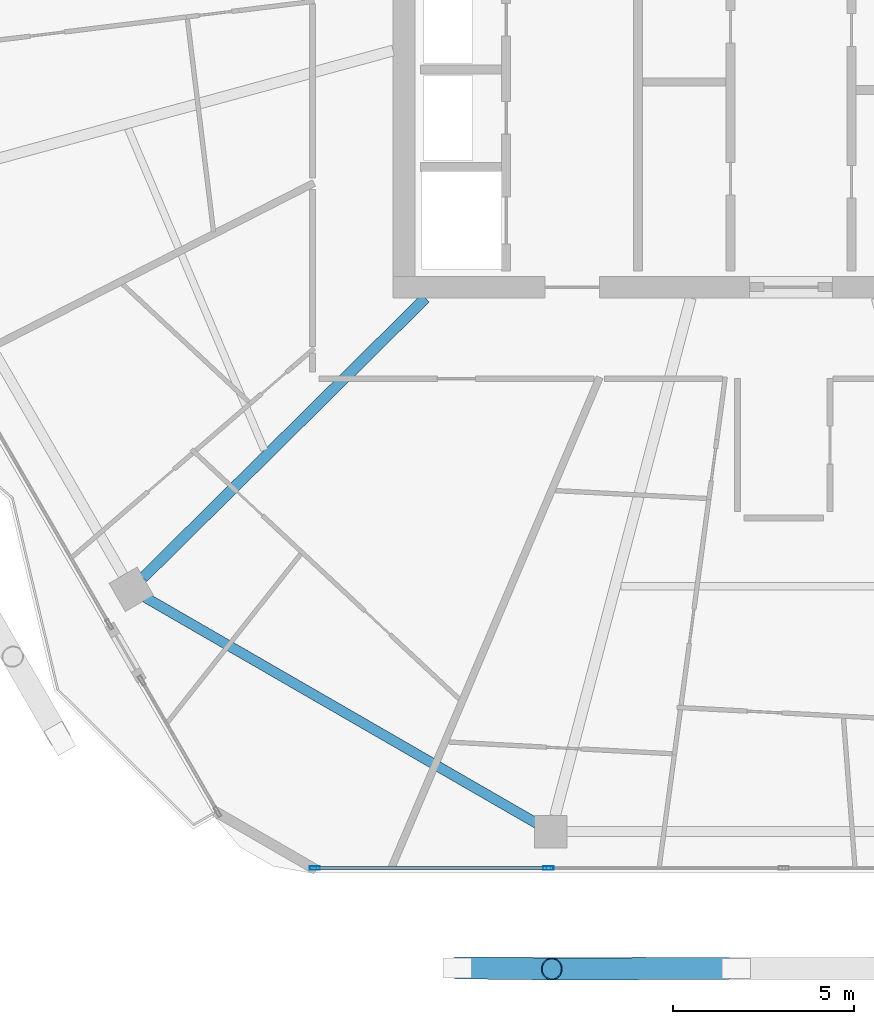
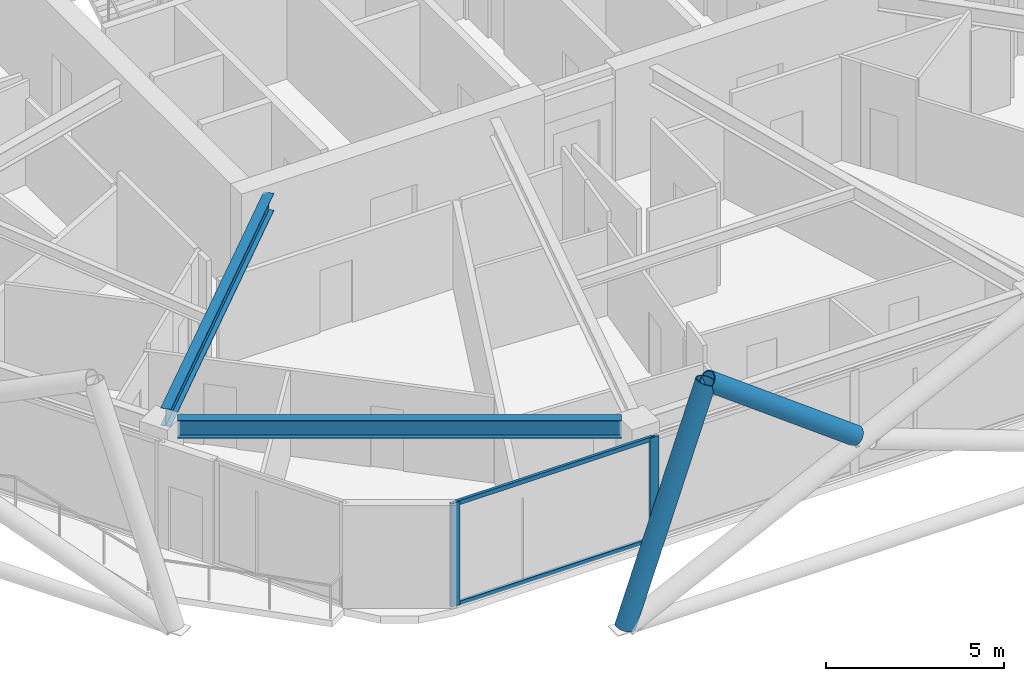
# One storey, part 3 of 27: 6 members, 2 beams, 1 element without a shape of its own.
"""IFC4 building model written with IfcOpenShell, lengths in metres."""

from ifc_helpers import new_model, si_unit, direction, frame, origin, origin_2d, place, context, subcontext, project, spatial, hollow_rectangle, hollow_circle, i_section, extrude, material, material_profile, profile_set, type_object, element, aggregate, save


model = new_model("IFC4")

# Units and contexts
model_context = context("Model", 3, precision=1e-05, world=origin(), true_north=direction((0.0, 1.0)))
body_context = subcontext(model_context, "Body", "Model", "MODEL_VIEW")
ifc_project = project(units=[si_unit("LENGTHUNIT", "METRE"), si_unit("AREAUNIT", "SQUARE_METRE"), si_unit("VOLUMEUNIT", "CUBIC_METRE"), si_unit("PLANEANGLEUNIT", "RADIAN"), si_unit("MASSUNIT", "GRAM", prefix="KILO")], contexts=[model_context])

# Site, building, storey
site_placement = place(None, origin())
site = spatial("IfcSite", under=ifc_project, at=site_placement, CompositionType="ELEMENT")
building_placement = place(site_placement, origin())
building = spatial("IfcBuilding", under=site, at=building_placement, Name="Zuhravey Tower", CompositionType="ELEMENT")
storey_placement = place(building_placement, frame((0.0, 0.0, 261.60009765625)))
storey = spatial("IfcBuildingStorey", under=building, at=storey_placement, Name="L66", CompositionType="ELEMENT", Elevation=261.60009765625)

# Curtain wall, members
ifc_material_1 = material(Name="Thermally broken anodised aluminium", Category="aluminium")
curtain_wall_type = type_object("IfcCurtainWallType", Name="Zone 3-4 High-Rise Curtain Wall CW4", PredefinedType="NOTDEFINED", material=ifc_material_1)
curtain_wall_placement = place(storey_placement, origin())
curtain_wall = element("IfcCurtainWall", 1, at=curtain_wall_placement, inside=storey, type_object=curtain_wall_type, Name="L66 CW4 CW-L66-F5-1", PredefinedType="NOTDEFINED")
ifc_material_2 = material(Name="Anodised aluminium", Category="aluminium")
ifc_material_profile_1 = material_profile(ifc_material_2, hollow_rectangle(XDim=0.090087890625, YDim=0.284912109375, WallThickness=0.0048828125, at=origin_2d()), Name="ALU-RHS-90x285x5")
ifc_profile_set_1 = profile_set([ifc_material_profile_1], Name="Anodised aluminium")
member_type_1 = type_object("IfcMemberType", Name="Curtain-Wall Mullion 90x180", PredefinedType="MULLION", material=ifc_profile_set_1)
member_1_placement = place(storey_placement, frame((29.49365234375, 6.436279296875, 0.0), z_axis=(0.0, 0.0, 1.0), x_axis=(0.0, -1.0, 0.0)))
member_1 = element("IfcMember", 2, at=member_1_placement, type_object=member_type_1, Name="CW4 mullion 4", PredefinedType="MULLION", context=body_context, shape_type="SweptSolid", body=[
    extrude(hollow_rectangle(XDim=0.090087890625, YDim=0.284912109375, WallThickness=0.0048828125, at=origin_2d()), origin(), (0.0, 0.0, 1.0), 3.5498046875),
])
member_2_placement = place(storey_placement, frame((23.0322265625, 6.436279296875, 0.0), z_axis=(0.0, 0.0, 1.0), x_axis=(0.0, -1.0, 0.0)))
member_2 = element("IfcMember", 3, at=member_2_placement, type_object=member_type_1, Name="CW4 mullion 5", PredefinedType="MULLION", context=body_context, shape_type="SweptSolid", body=[
    extrude(hollow_rectangle(XDim=0.090087890625, YDim=0.284912109375, WallThickness=0.0048828125, at=origin_2d()), origin(), (0.0, 0.0, 1.0), 3.5498046875),
])
ifc_material_profile_2 = material_profile(ifc_material_2, hollow_rectangle(XDim=0.090087890625, YDim=0.14990234375, WallThickness=0.0048828125, at=origin_2d()), Name="ALU-RHS-90x150x5")
ifc_profile_set_2 = profile_set([ifc_material_profile_2], Name="Anodised aluminium")
member_type_2 = type_object("IfcMemberType", Name="Curtain-Wall Transom 90x150", PredefinedType="USERDEFINED", material=ifc_profile_set_2)
member_3_placement = place(storey_placement, frame((29.44873046875, 6.436279296875, 0.044921875), z_axis=(-1.0, 0.0, 0.0), x_axis=(0.0, -1.0, 0.0)))
member_3 = element("IfcMember", 4, at=member_3_placement, type_object=member_type_2, Name="CW4 transom 4.1", ObjectType="TRANSOM", PredefinedType="USERDEFINED", context=body_context, shape_type="SweptSolid", body=[
    extrude(hollow_rectangle(XDim=0.090087890625, YDim=0.14990234375, WallThickness=0.0048828125, at=origin_2d()), origin(), (0.0, 0.0, 1.0), 6.371337890625),
])
member_4_placement = place(storey_placement, frame((29.44873046875, 6.436279296875, 3.5048828125), z_axis=(-1.0, 0.0, 0.0), x_axis=(0.0, -1.0, 0.0)))
member_4 = element("IfcMember", 5, at=member_4_placement, type_object=member_type_2, Name="CW4 transom 4.2", ObjectType="TRANSOM", PredefinedType="USERDEFINED", context=body_context, shape_type="SweptSolid", body=[
    extrude(hollow_rectangle(XDim=0.090087890625, YDim=0.14990234375, WallThickness=0.0048828125, at=origin_2d()), origin(), (0.0, 0.0, 1.0), 6.371337890625),
])
aggregate(curtain_wall, [member_1, member_2, member_3, member_4])

# Members
ifc_material_3 = material(Name="Steel SM355", Category="steel")
ifc_material_profile_3 = material_profile(ifc_material_3, hollow_circle(Radius=0.3046875, WallThickness=0.028076171875, at=origin_2d()), Name="CHS-609.6x28")
ifc_profile_set_3 = profile_set([ifc_material_profile_3], Name="Steel SM355")
member_type_3 = type_object("IfcMemberType", Name="Exoskeleton Zone 3 Diagrid CHS610x28", PredefinedType="BRACE", material=ifc_profile_set_3)
member_5_placement = place(storey_placement, frame((26.977294921875, 3.67626953125, -0.446044921875), z_axis=(0.326058009418, -0.003722541376, 0.94534243382), x_axis=(0.011416063057, 0.999934834629, 0.0)))
element("IfcMember", 6, at=member_5_placement, inside=storey, type_object=member_type_3, Name="L66 Face 5 Diagrid Brace 1", PredefinedType="BRACE", context=body_context, shape_type="SweptSolid", body=[
    extrude(hollow_circle(Radius=0.3046875, WallThickness=0.028076171875, at=origin_2d()), origin(), (0.0, 0.0, 1.0), 8.001220703125),
])
member_6_placement = place(storey_placement, frame((34.452880859375, 3.66064453125, 3.51220703125), z_axis=(-0.801711857195, -0.002351417837, 0.597706089033), x_axis=(0.002932983592, -0.999995698794, 0.0)))
element("IfcMember", 7, at=member_6_placement, inside=storey, type_object=member_type_3, Name="L66 Face 5 Split Diagrid Brace 3B", PredefinedType="BRACE", context=body_context, shape_type="SweptSolid", body=[
    extrude(hollow_circle(Radius=0.3046875, WallThickness=0.028076171875, at=origin_2d()), origin(), (0.0, 0.0, 1.0), 6.02197265625),
])

# Beams
ifc_material_profile_4 = material_profile(ifc_material_3, i_section(OverallWidth=0.280029296875, OverallDepth=0.6201171875, WebThickness=0.011962890625, FlangeThickness=0.02001953125, at=origin_2d()), Name="H-620x280x12x20")
ifc_profile_set_4 = profile_set([ifc_material_profile_4], Name="Steel SM355")
beam_type_1 = type_object("IfcBeamType", Name="Perimeter Ring Beam H620x280", PredefinedType="BEAM", material=ifc_profile_set_4)
beam_1_placement = place(storey_placement, frame((18.3486328125, 13.918701171875, 3.239990234375), z_axis=(0.866025131093, -0.500000472315, 0.0), x_axis=(0.500000472315, 0.866025131093, 0.0)))
element("IfcBeam", 8, at=beam_1_placement, inside=storey, type_object=beam_type_1, Name="L66 PB3 BM-L66-PB-08", PredefinedType="BEAM", context=body_context, shape_type="SweptSolid", body=[
    extrude(i_section(OverallWidth=0.280029296875, OverallDepth=0.6201171875, WebThickness=0.011962890625, FlangeThickness=0.02001953125, at=origin_2d()), origin(), (0.0, 0.0, 1.0), 12.49169921875),
])
ifc_material_profile_5 = material_profile(ifc_material_3, i_section(OverallWidth=0.300048828125, OverallDepth=0.60009765625, WebThickness=0.011962890625, FlangeThickness=0.02001953125, at=origin_2d()), Name="H-600x300x12x20")
ifc_profile_set_5 = profile_set([ifc_material_profile_5], Name="Steel SM355")
beam_type_2 = type_object("IfcBeamType", Name="Radial Primary Girder H600x300", PredefinedType="BEAM", material=ifc_profile_set_5)
beam_2_placement = place(storey_placement, frame((26.09326171875, 22.197021484375, 3.25), z_axis=(-0.710816516282, -0.703377480576, 0.0), x_axis=(0.703377480576, -0.710816516282, 0.0)))
element("IfcBeam", 9, at=beam_2_placement, inside=storey, type_object=beam_type_2, Name="L66 RG3 BM-L66-RAD-08", PredefinedType="BEAM", context=body_context, shape_type="SweptSolid", body=[
    extrude(i_section(OverallWidth=0.300048828125, OverallDepth=0.60009765625, WebThickness=0.011962890625, FlangeThickness=0.02001953125, at=origin_2d()), origin(), (0.0, 0.0, 1.0), 10.994384765625),
])

save(model, "model.ifc")
